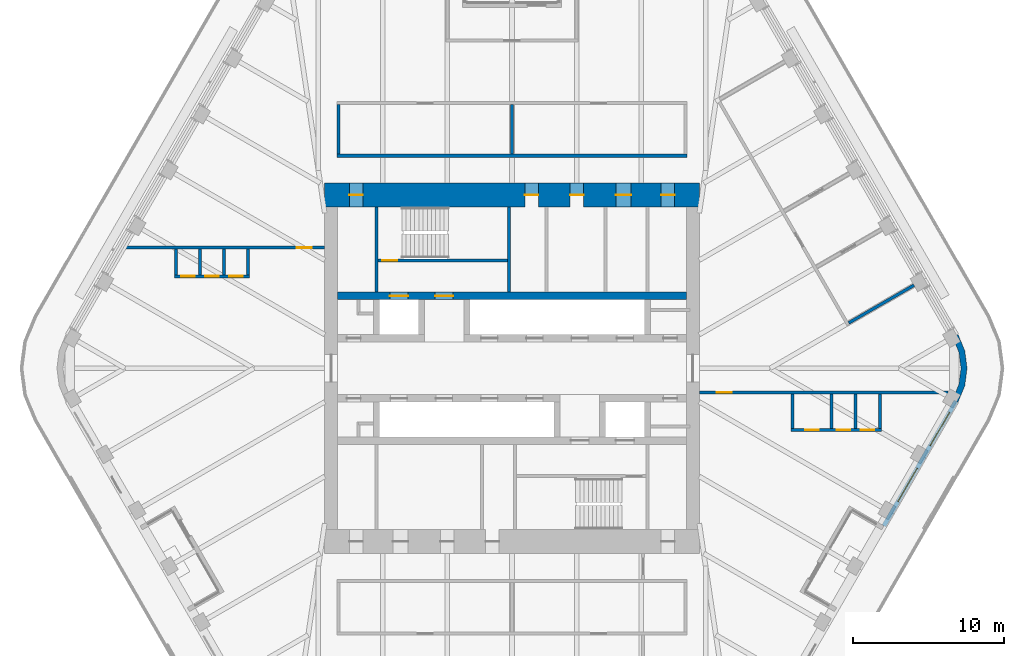
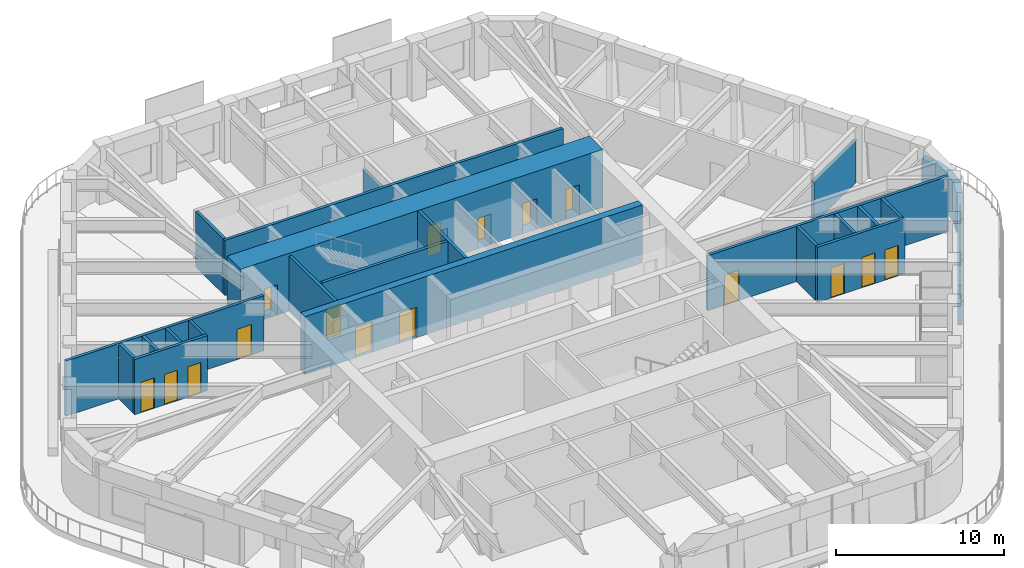
# One storey, part 15 of 19: 23 walls, 16 doors, 2 windows, 18 openings.
"""IFC4 building model written with IfcOpenShell, lengths in metres."""

from ifc_helpers import new_model, si_unit, direction, frame, frame_2d, origin, place, context, subcontext, project, spatial, polyline, rectangle, outline, extrude, material, layer, layer_set, type_object, element, fill, save


model = new_model("IFC4")

# Units and contexts
model_context = context("Model", 3, precision=1e-05, world=origin(), true_north=direction((0.0, 1.0)))
body_context = subcontext(model_context, "Body", "Model", "MODEL_VIEW")
ifc_project = project(units=[si_unit("LENGTHUNIT", "METRE"), si_unit("AREAUNIT", "SQUARE_METRE"), si_unit("VOLUMEUNIT", "CUBIC_METRE"), si_unit("PLANEANGLEUNIT", "RADIAN"), si_unit("MASSUNIT", "GRAM", prefix="KILO")], contexts=[model_context])

# Site, building, storey
site_placement = place(None, origin())
site = spatial("IfcSite", under=ifc_project, at=site_placement, CompositionType="ELEMENT")
building_placement = place(site_placement, origin())
building = spatial("IfcBuilding", under=site, at=building_placement, Name="Tarfa Lantern Tower", CompositionType="ELEMENT")
storey_placement = place(building_placement, frame((0.0, 0.0, 345.10009765625)))
storey = spatial("IfcBuildingStorey", under=building, at=storey_placement, Name="L78", CompositionType="ELEMENT", Elevation=345.10009765625)

# Wall, openings, windows
ifc_material_1 = material(Name="Limestone cladding on blockwork", Category="masonry")
ifc_layer_1 = layer(ifc_material_1, 0.300048828125)
ifc_layer_set_1 = layer_set([ifc_layer_1], Name="EW1 STONE-CLAD WALL 300")
wall_type_1 = type_object("IfcWallType", Name="EW1 STONE-CLAD WALL 300", PredefinedType="SOLIDWALL", material=ifc_layer_set_1)
wall_1_placement = place(storey_placement, frame((24.67724609375, -10.457763671875, 0.0), z_axis=(0.0, 0.0, 1.0), x_axis=(0.499996453679, 0.866027451244, 0.0)))
wall_1 = element("IfcWall", 1, at=wall_1_placement, inside=storey, type_object=wall_type_1, Name="Stone wall SEB", PredefinedType="SOLIDWALL", context=body_context, shape_type="SweptSolid", body=[
    extrude(rectangle(XDim=9.56396484375, YDim=0.300048828125, at=frame_2d((4.781982421875, 0.0))), origin(), (0.0, 0.0, 1.0), 2.89990234375),
])
opening_1_placement = place(wall_1_placement, frame((1.865966796875, 0.0, 0.60009765625)))
opening_1 = element("IfcOpeningElement", 2, at=opening_1_placement, cuts=wall_1, Name="Opening W17", PredefinedType="OPENING", context=body_context, shape_type="SweptSolid", body=[
    extrude(rectangle(XDim=2.550048828125, YDim=2.050048828125, at=frame_2d((1.27490234375, 1.02490234375))), frame((0.0, 0.159912109375, 0.0), z_axis=(0.0, -1.0, 0.0), x_axis=(1.0, 0.0, 0.0)), (0.0, 0.0, 1.0), 0.320068359375),
])
opening_2_placement = place(wall_1_placement, frame((6.14794921875, 0.0, 0.60009765625)))
opening_2 = element("IfcOpeningElement", 3, at=opening_2_placement, cuts=wall_1, Name="Opening W17", PredefinedType="OPENING", context=body_context, shape_type="SweptSolid", body=[
    extrude(rectangle(XDim=2.550048828125, YDim=2.050048828125, at=frame_2d((1.27490234375, 1.02490234375))), frame((0.0, 0.159912109375, 0.0), z_axis=(0.0, -1.0, 0.0), x_axis=(1.0, 0.0, 0.0)), (0.0, 0.0, 1.0), 0.320068359375),
])
ifc_material_2 = material(Name="Aluminium frame, double glazed", Category="aluminium")
window_type = type_object("IfcWindowType", Name="W17 FULL-HEIGHT GLAZING 2550x2050", PartitioningType="SINGLE_PANEL", PredefinedType="WINDOW", material=ifc_material_2)
window_1_placement = place(opening_1_placement, origin())
window_1 = element("IfcWindow", 4, at=window_1_placement, inside=storey, type_object=window_type, Name="Window SEB 1", OverallHeight=2.050048828125, OverallWidth=2.550048828125, PartitioningType="SINGLE_PANEL", PredefinedType="WINDOW", context=body_context, shape_type="SweptSolid", body=[
    extrude(rectangle(XDim=2.550048828125, YDim=2.050048828125, at=frame_2d((1.27490234375, 1.02490234375))), frame((0.0, 0.030029296875, 0.0), z_axis=(0.0, -1.0, 0.0), x_axis=(1.0, 0.0, 0.0)), (0.0, 0.0, 1.0), 0.06005859375),
])
fill(opening_1, window_1)
window_2_placement = place(opening_2_placement, origin())
window_2 = element("IfcWindow", 5, at=window_2_placement, inside=storey, type_object=window_type, Name="Window SEB 2", OverallHeight=2.050048828125, OverallWidth=2.550048828125, PartitioningType="SINGLE_PANEL", PredefinedType="WINDOW", context=body_context, shape_type="SweptSolid", body=[
    extrude(rectangle(XDim=2.550048828125, YDim=2.050048828125, at=frame_2d((1.27490234375, 1.02490234375))), frame((0.0, 0.030029296875, 0.0), z_axis=(0.0, -1.0, 0.0), x_axis=(1.0, 0.0, 0.0)), (0.0, 0.0, 1.0), 0.06005859375),
])
fill(opening_2, window_2)

# Walls
ifc_layer_2 = layer(ifc_material_1, 0.39990234375)
ifc_layer_set_2 = layer_set([ifc_layer_2], Name="EW2 CURVED STONE CORNER 400")
wall_type_2 = type_object("IfcWallType", Name="EW2 CURVED STONE CORNER 400", PredefinedType="SOLIDWALL", material=ifc_layer_set_2)
wall_2_placement = place(storey_placement, origin())
element("IfcWall", 6, at=wall_2_placement, inside=storey, type_object=wall_type_2, Name="Stone corner SE-NE", PredefinedType="SOLIDWALL", context=body_context, shape_type="SweptSolid", body=[
    extrude(outline(polyline([(29.589111328125, -2.25), (30.038818359375, -1.164794921875), (30.192138671875, 0.0), (30.038818359375, 1.164794921875), (29.589111328125, 2.25), (29.24267578125, 2.050048828125), (29.65234375, 1.061279296875), (29.7919921875, 0.0), (29.65234375, -1.061279296875), (29.24267578125, -2.050048828125), (29.589111328125, -2.25)])), origin(), (0.0, 0.0, 1.0), 2.89990234375),
])
ifc_material_3 = material(Name="Concrete blockwork", Category="masonry")
ifc_layer_3 = layer(ifc_material_3, 0.199951171875)
ifc_layer_set_3 = layer_set([ifc_layer_3], Name="IW1 BLOCKWORK PARTITION 200 EI 120")
wall_type_3 = type_object("IfcWallType", Name="IW1 BLOCKWORK PARTITION 200 EI 120", PredefinedType="PARTITIONING", material=ifc_layer_set_3)
wall_3_placement = place(storey_placement, frame((-9.0, 5.050048828125, 0.0), z_axis=(0.0, 0.0, 1.0), x_axis=(0.0, 1.0, 0.0)))
element("IfcWall", 7, at=wall_3_placement, inside=storey, type_object=wall_type_3, Name="Core partition", PredefinedType="PARTITIONING", context=body_context, shape_type="SweptSolid", body=[
    extrude(rectangle(XDim=5.64990234375, YDim=0.199951171875, at=frame_2d((2.824951171875, 0.0))), origin(), (0.0, 0.0, 1.0), 4.0),
])
ifc_material_4 = material(Name="Gypsum board on steel studs", Category="steel")
ifc_layer_4 = layer(ifc_material_4, 0.2099609375)
ifc_layer_set_4 = layer_set([ifc_layer_4], Name="IW2 ACOUSTIC PARTITION 200")
wall_type_4 = type_object("IfcWallType", Name="IW2 ACOUSTIC PARTITION 200", PredefinedType="PARTITIONING", material=ifc_layer_set_4)
wall_4_placement = place(storey_placement, frame((-11.60009765625, 14.10009765625, 0.0), z_axis=(0.0, 0.0, 1.0), x_axis=(1.0, 0.0, 0.0)))
element("IfcWall", 8, at=wall_4_placement, inside=storey, type_object=wall_type_4, Name="Partition", PredefinedType="PARTITIONING", context=body_context, shape_type="SweptSolid", body=[
    extrude(rectangle(XDim=23.2001953125, YDim=0.199951171875, at=frame_2d((11.60009765625, 0.0))), origin(), (0.0, 0.0, 1.0), 4.0),
])
wall_5_placement = place(storey_placement, frame((-11.5, 14.199951171875, 0.0), z_axis=(0.0, 0.0, 1.0), x_axis=(0.0, 1.0, 0.0)))
element("IfcWall", 9, at=wall_5_placement, inside=storey, type_object=wall_type_4, Name="Partition", PredefinedType="PARTITIONING", context=body_context, shape_type="SweptSolid", body=[
    extrude(rectangle(XDim=3.300048828125, YDim=0.199951171875, at=frame_2d((1.64990234375, 0.0))), origin(), (0.0, 0.0, 1.0), 4.0),
])
wall_6_placement = place(storey_placement, frame((0.0, 14.199951171875, 0.0), z_axis=(0.0, 0.0, 1.0), x_axis=(0.0, 1.0, 0.0)))
element("IfcWall", 10, at=wall_6_placement, inside=storey, type_object=wall_type_4, Name="Partition", PredefinedType="PARTITIONING", context=body_context, shape_type="SweptSolid", body=[
    extrude(rectangle(XDim=3.300048828125, YDim=0.199951171875, at=frame_2d((1.64990234375, 0.0))), origin(), (0.0, 0.0, 1.0), 2.99169921875),
])
wall_7_placement = place(storey_placement, frame((22.338623046875, 3.00830078125, 0.0), z_axis=(0.0, 0.0, 1.0), x_axis=(0.866022959057, 0.500004234368, 0.0)))
element("IfcWall", 11, at=wall_7_placement, inside=storey, type_object=wall_type_4, Name="Partition", PredefinedType="PARTITIONING", context=body_context, shape_type="SweptSolid", body=[
    extrude(rectangle(XDim=5.0, YDim=0.199951171875, at=frame_2d((2.5, 0.0))), origin(), (0.0, 0.0, 1.0), 3.08154296875),
])

# Wall, opening, door
wall_8_placement = place(storey_placement, frame((12.425048828125, -1.60009765625, 0.0), z_axis=(0.0, 0.0, 1.0), x_axis=(1.0, 0.0, 0.0)))
wall_8 = element("IfcWall", 12, at=wall_8_placement, inside=storey, type_object=wall_type_4, Name="Partition", PredefinedType="PARTITIONING", context=body_context, shape_type="SweptSolid", body=[
    extrude(rectangle(XDim=16.500244140625, YDim=0.199951171875, at=frame_2d((8.25, 0.0))), origin(), (0.0, 0.0, 1.0), 4.0),
])
opening_3_placement = place(wall_8_placement, frame((1.150146484375, 0.0, 0.0)))
opening_3 = element("IfcOpeningElement", 13, at=opening_3_placement, cuts=wall_8, Name="Opening D35", PredefinedType="OPENING", context=body_context, shape_type="SweptSolid", body=[
    extrude(rectangle(XDim=1.0, YDim=2.199951171875, at=frame_2d((0.5, 1.10009765625))), frame((0.0, 0.10986328125, 0.0), z_axis=(0.0, -1.0, 0.0), x_axis=(1.0, 0.0, 0.0)), (0.0, 0.0, 1.0), 0.219970703125),
])
ifc_material_5 = material(Name="Timber door", Category="wood")
door_type_1 = type_object("IfcDoorType", Name="DR1 ROOM DOOR 1000x2200", OperationType="SINGLE_SWING_LEFT", PredefinedType="DOOR", material=ifc_material_5)
door_1_placement = place(opening_3_placement, frame((1.0, 0.0, 0.0), z_axis=(0.0, 0.0, 1.0), x_axis=(-1.0, 0.0, 0.0)))
door_1 = element("IfcDoor", 14, at=door_1_placement, inside=storey, type_object=door_type_1, Name="Zone door", OperationType="SINGLE_SWING_LEFT", OverallHeight=2.199951171875, OverallWidth=1.0, PredefinedType="DOOR", context=body_context, shape_type="SweptSolid", body=[
    extrude(rectangle(XDim=1.0, YDim=2.199951171875, at=frame_2d((0.5, 1.10009765625))), frame((0.0, 0.02490234375, 0.0), z_axis=(0.0, -1.0, 0.0), x_axis=(1.0, 0.0, 0.0)), (0.0, 0.0, 1.0), 0.050048828125),
])
fill(opening_3, door_1)

wall_9_placement = place(storey_placement, frame((-12.425048828125, 8.0, 0.0), z_axis=(0.0, 0.0, 1.0), x_axis=(-1.0, 0.0, 0.0)))
wall_9 = element("IfcWall", 15, at=wall_9_placement, inside=storey, type_object=wall_type_4, Name="Partition", PredefinedType="PARTITIONING", context=body_context, shape_type="SweptSolid", body=[
    extrude(rectangle(XDim=13.59033203125, YDim=0.199951171875, at=frame_2d((6.795166015625, 0.0))), origin(), (0.0, 0.0, 1.0), 4.0),
])
opening_4_placement = place(wall_9_placement, frame((0.859130859375, 0.0, 0.0)))
opening_4 = element("IfcOpeningElement", 16, at=opening_4_placement, cuts=wall_9, Name="Opening D37", PredefinedType="OPENING", context=body_context, shape_type="SweptSolid", body=[
    extrude(rectangle(XDim=1.0, YDim=2.199951171875, at=frame_2d((0.5, 1.10009765625))), frame((0.0, 0.10986328125, 0.0), z_axis=(0.0, -1.0, 0.0), x_axis=(1.0, 0.0, 0.0)), (0.0, 0.0, 1.0), 0.219970703125),
])
door_2_placement = place(opening_4_placement, frame((1.0, 0.0, 0.0), z_axis=(0.0, 0.0, 1.0), x_axis=(-1.0, 0.0, 0.0)))
door_2 = element("IfcDoor", 17, at=door_2_placement, inside=storey, type_object=door_type_1, Name="Zone door", OperationType="SINGLE_SWING_LEFT", OverallHeight=2.199951171875, OverallWidth=1.0, PredefinedType="DOOR", context=body_context, shape_type="SweptSolid", body=[
    extrude(rectangle(XDim=1.0, YDim=2.199951171875, at=frame_2d((0.5, 1.10009765625))), frame((0.0, 0.02490234375, 0.0), z_axis=(0.0, -1.0, 0.0), x_axis=(1.0, 0.0, 0.0)), (0.0, 0.0, 1.0), 0.050048828125),
])
fill(opening_4, door_2)

# Wall, openings, doors
wall_10_placement = place(storey_placement, frame((18.500244140625, -4.10009765625, 0.0), z_axis=(0.0, 0.0, 1.0), x_axis=(1.0, 0.0, 0.0)))
wall_10 = element("IfcWall", 18, at=wall_10_placement, inside=storey, type_object=wall_type_4, Name="Partition", PredefinedType="PARTITIONING", context=body_context, shape_type="SweptSolid", body=[
    extrude(rectangle(XDim=6.0, YDim=0.199951171875, at=frame_2d((3.0, 0.0))), origin(), (0.0, 0.0, 1.0), 4.0),
])
opening_5_placement = place(wall_10_placement, frame((0.949951171875, 0.0, 0.0)))
opening_5 = element("IfcOpeningElement", 19, at=opening_5_placement, cuts=wall_10, Name="Opening D29", PredefinedType="OPENING", context=body_context, shape_type="SweptSolid", body=[
    extrude(rectangle(XDim=0.89990234375, YDim=2.199951171875, at=frame_2d((0.449951171875, 1.10009765625))), frame((0.0, 0.10986328125, 0.0), z_axis=(0.0, -1.0, 0.0), x_axis=(1.0, 0.0, 0.0)), (0.0, 0.0, 1.0), 0.219970703125),
])
opening_6_placement = place(wall_10_placement, frame((3.050048828125, 0.0, 0.0)))
opening_6 = element("IfcOpeningElement", 20, at=opening_6_placement, cuts=wall_10, Name="Opening D30", PredefinedType="OPENING", context=body_context, shape_type="SweptSolid", body=[
    extrude(rectangle(XDim=0.89990234375, YDim=2.199951171875, at=frame_2d((0.449951171875, 1.10009765625))), frame((0.0, 0.10986328125, 0.0), z_axis=(0.0, -1.0, 0.0), x_axis=(1.0, 0.0, 0.0)), (0.0, 0.0, 1.0), 0.219970703125),
])
opening_7_placement = place(wall_10_placement, frame((4.64990234375, 0.0, 0.0)))
opening_7 = element("IfcOpeningElement", 21, at=opening_7_placement, cuts=wall_10, Name="Opening D31", PredefinedType="OPENING", context=body_context, shape_type="SweptSolid", body=[
    extrude(rectangle(XDim=0.89990234375, YDim=2.199951171875, at=frame_2d((0.449951171875, 1.10009765625))), frame((0.0, 0.10986328125, 0.0), z_axis=(0.0, -1.0, 0.0), x_axis=(1.0, 0.0, 0.0)), (0.0, 0.0, 1.0), 0.219970703125),
])
door_type_2 = type_object("IfcDoorType", Name="DR3 ROOM DOOR 900x2200", OperationType="SINGLE_SWING_LEFT", PredefinedType="DOOR", material=ifc_material_5)
door_3_placement = place(opening_5_placement, origin())
door_3 = element("IfcDoor", 22, at=door_3_placement, inside=storey, type_object=door_type_2, Name="Print and copy room door", OperationType="SINGLE_SWING_RIGHT", OverallHeight=2.199951171875, OverallWidth=0.89990234375, PredefinedType="DOOR", context=body_context, shape_type="SweptSolid", body=[
    extrude(rectangle(XDim=0.89990234375, YDim=2.199951171875, at=frame_2d((0.449951171875, 1.10009765625))), frame((0.0, 0.02490234375, 0.0), z_axis=(0.0, -1.0, 0.0), x_axis=(1.0, 0.0, 0.0)), (0.0, 0.0, 1.0), 0.050048828125),
])
fill(opening_5, door_3)
door_4_placement = place(opening_6_placement, origin())
door_4 = element("IfcDoor", 23, at=door_4_placement, inside=storey, type_object=door_type_2, Name="Phone booth door", OperationType="SINGLE_SWING_LEFT", OverallHeight=2.199951171875, OverallWidth=0.89990234375, PredefinedType="DOOR", context=body_context, shape_type="SweptSolid", body=[
    extrude(rectangle(XDim=0.89990234375, YDim=2.199951171875, at=frame_2d((0.449951171875, 1.10009765625))), frame((0.0, 0.02490234375, 0.0), z_axis=(0.0, -1.0, 0.0), x_axis=(1.0, 0.0, 0.0)), (0.0, 0.0, 1.0), 0.050048828125),
])
fill(opening_6, door_4)
door_5_placement = place(opening_7_placement, origin())
door_5 = element("IfcDoor", 24, at=door_5_placement, inside=storey, type_object=door_type_2, Name="Phone booth door", OperationType="SINGLE_SWING_LEFT", OverallHeight=2.199951171875, OverallWidth=0.89990234375, PredefinedType="DOOR", context=body_context, shape_type="SweptSolid", body=[
    extrude(rectangle(XDim=0.89990234375, YDim=2.199951171875, at=frame_2d((0.449951171875, 1.10009765625))), frame((0.0, 0.02490234375, 0.0), z_axis=(0.0, -1.0, 0.0), x_axis=(1.0, 0.0, 0.0)), (0.0, 0.0, 1.0), 0.050048828125),
])
fill(opening_7, door_5)

# Walls
for number, where, z_axis, x_axis, name in (
    (25, (18.60009765625, -1.699951171875, 0.0), (0.0, 0.0, 1.0), (0.0, -1.0, 0.0), "Partition"),
    (26, (21.2001953125, -1.699951171875, 0.0), (0.0, 0.0, 1.0), (0.0, -1.0, 0.0), "Partition"),
    (27, (22.800048828125, -1.699951171875, 0.0), (0.0, 0.0, 1.0), (0.0, -1.0, 0.0), "Partition"),
    (28, (24.400146484375, -1.699951171875, 0.0), (0.0, 0.0, 1.0), (0.0, -1.0, 0.0), "Partition"),
):
    element("IfcWall", number, at=place(storey_placement, frame(where, z_axis=z_axis, x_axis=x_axis)), inside=storey, type_object=wall_type_4, Name=name, PredefinedType="PARTITIONING", context=body_context, shape_type="SweptSolid", body=[
        extrude(rectangle(XDim=2.300048828125, YDim=0.199951171875, at=frame_2d((1.14990234375, 0.0))), origin(), (0.0, 0.0, 1.0), 4.0),
    ])

# Wall, openings, doors
wall_11_placement = place(storey_placement, frame((-17.399658203125, 6.10009765625, 0.0), z_axis=(0.0, 0.0, 1.0), x_axis=(-1.0, 0.0, 0.0)))
wall_11 = element("IfcWall", 29, at=wall_11_placement, inside=storey, type_object=wall_type_4, Name="Partition", PredefinedType="PARTITIONING", context=body_context, shape_type="SweptSolid", body=[
    extrude(rectangle(XDim=5.0, YDim=0.199951171875, at=frame_2d((2.5, 0.0))), origin(), (0.0, 0.0, 1.0), 4.0),
])
opening_8_placement = place(wall_11_placement, frame((0.449951171875, 0.0, 0.0)))
opening_8 = element("IfcOpeningElement", 30, at=opening_8_placement, cuts=wall_11, Name="Opening D32", PredefinedType="OPENING", context=body_context, shape_type="SweptSolid", body=[
    extrude(rectangle(XDim=0.89990234375, YDim=2.199951171875, at=frame_2d((0.449951171875, 1.10009765625))), frame((0.0, 0.10986328125, 0.0), z_axis=(0.0, -1.0, 0.0), x_axis=(1.0, 0.0, 0.0)), (0.0, 0.0, 1.0), 0.219970703125),
])
opening_9_placement = place(wall_11_placement, frame((2.050048828125, 0.0, 0.0)))
opening_9 = element("IfcOpeningElement", 31, at=opening_9_placement, cuts=wall_11, Name="Opening D33", PredefinedType="OPENING", context=body_context, shape_type="SweptSolid", body=[
    extrude(rectangle(XDim=0.89990234375, YDim=2.199951171875, at=frame_2d((0.449951171875, 1.10009765625))), frame((0.0, 0.10986328125, 0.0), z_axis=(0.0, -1.0, 0.0), x_axis=(1.0, 0.0, 0.0)), (0.0, 0.0, 1.0), 0.219970703125),
])
opening_10_placement = place(wall_11_placement, frame((3.64990234375, 0.0, 0.0)))
opening_10 = element("IfcOpeningElement", 32, at=opening_10_placement, cuts=wall_11, Name="Opening D34", PredefinedType="OPENING", context=body_context, shape_type="SweptSolid", body=[
    extrude(rectangle(XDim=0.89990234375, YDim=2.199951171875, at=frame_2d((0.449951171875, 1.10009765625))), frame((0.0, 0.10986328125, 0.0), z_axis=(0.0, -1.0, 0.0), x_axis=(1.0, 0.0, 0.0)), (0.0, 0.0, 1.0), 0.219970703125),
])
door_6_placement = place(opening_8_placement, frame((0.89990234375, 0.0, 0.0), z_axis=(0.0, 0.0, 1.0), x_axis=(-1.0, 0.0, 0.0)))
door_6 = element("IfcDoor", 33, at=door_6_placement, inside=storey, type_object=door_type_2, Name="Phone booth door", OperationType="SINGLE_SWING_LEFT", OverallHeight=2.199951171875, OverallWidth=0.89990234375, PredefinedType="DOOR", context=body_context, shape_type="SweptSolid", body=[
    extrude(rectangle(XDim=0.89990234375, YDim=2.199951171875, at=frame_2d((0.449951171875, 1.10009765625))), frame((0.0, 0.02490234375, 0.0), z_axis=(0.0, -1.0, 0.0), x_axis=(1.0, 0.0, 0.0)), (0.0, 0.0, 1.0), 0.050048828125),
])
fill(opening_8, door_6)
door_7_placement = place(opening_9_placement, frame((0.89990234375, 0.0, 0.0), z_axis=(0.0, 0.0, 1.0), x_axis=(-1.0, 0.0, 0.0)))
door_7 = element("IfcDoor", 34, at=door_7_placement, inside=storey, type_object=door_type_2, Name="Phone booth door", OperationType="SINGLE_SWING_LEFT", OverallHeight=2.199951171875, OverallWidth=0.89990234375, PredefinedType="DOOR", context=body_context, shape_type="SweptSolid", body=[
    extrude(rectangle(XDim=0.89990234375, YDim=2.199951171875, at=frame_2d((0.449951171875, 1.10009765625))), frame((0.0, 0.02490234375, 0.0), z_axis=(0.0, -1.0, 0.0), x_axis=(1.0, 0.0, 0.0)), (0.0, 0.0, 1.0), 0.050048828125),
])
fill(opening_9, door_7)
door_8_placement = place(opening_10_placement, frame((0.89990234375, 0.0, 0.0), z_axis=(0.0, 0.0, 1.0), x_axis=(-1.0, 0.0, 0.0)))
door_8 = element("IfcDoor", 35, at=door_8_placement, inside=storey, type_object=door_type_2, Name="Phone booth door", OperationType="SINGLE_SWING_RIGHT", OverallHeight=2.199951171875, OverallWidth=0.89990234375, PredefinedType="DOOR", context=body_context, shape_type="SweptSolid", body=[
    extrude(rectangle(XDim=0.89990234375, YDim=2.199951171875, at=frame_2d((0.449951171875, 1.10009765625))), frame((0.0, 0.02490234375, 0.0), z_axis=(0.0, -1.0, 0.0), x_axis=(1.0, 0.0, 0.0)), (0.0, 0.0, 1.0), 0.050048828125),
])
fill(opening_10, door_8)

# Walls
for number, where, z_axis, x_axis, name in (
    (36, (-17.499755859375, 7.89990234375, 0.0), (0.0, 0.0, 1.0), (0.0, -1.0, 0.0), "Partition"),
    (37, (-19.099609375, 7.89990234375, 0.0), (0.0, 0.0, 1.0), (0.0, -1.0, 0.0), "Partition"),
    (38, (-20.69970703125, 7.89990234375, 0.0), (0.0, 0.0, 1.0), (0.0, -1.0, 0.0), "Partition"),
    (39, (-22.299560546875, 7.89990234375, 0.0), (0.0, 0.0, 1.0), (0.0, -1.0, 0.0), "Partition"),
):
    element("IfcWall", number, at=place(storey_placement, frame(where, z_axis=z_axis, x_axis=x_axis)), inside=storey, type_object=wall_type_4, Name=name, PredefinedType="PARTITIONING", context=body_context, shape_type="SweptSolid", body=[
        extrude(rectangle(XDim=1.699951171875, YDim=0.199951171875, at=frame_2d((0.85009765625, 0.0))), origin(), (0.0, 0.0, 1.0), 4.0),
    ])
ifc_material_6 = material(Name="Concrete C80/95", Category="concrete")
ifc_layer_5 = layer(ifc_material_6, 0.199951171875)
ifc_layer_set_5 = layer_set([ifc_layer_5], Name="SW12 CORE WALL 200")
wall_type_5 = type_object("IfcWallType", Name="SW12 CORE WALL 200", PredefinedType="SHEAR", material=ifc_layer_set_5)
wall_12_placement = place(storey_placement, frame((-0.199951171875, 5.050048828125, 0.0), z_axis=(0.0, 0.0, 1.0), x_axis=(0.0, 1.0, 0.0)))
element("IfcWall", 40, at=wall_12_placement, inside=storey, type_object=wall_type_5, Name="Core wall stair shaft N", PredefinedType="SHEAR", context=body_context, shape_type="SweptSolid", body=[
    extrude(rectangle(XDim=5.64990234375, YDim=0.199951171875, at=frame_2d((2.824951171875, 0.0))), origin(), (0.0, 0.0, 1.0), 4.199951171875),
])

# Wall, opening, door
wall_13_placement = place(storey_placement, frame((-8.89990234375, 7.14990234375, 0.0), z_axis=(0.0, 0.0, 1.0), x_axis=(1.0, 0.0, 0.0)))
wall_13 = element("IfcWall", 41, at=wall_13_placement, inside=storey, type_object=wall_type_5, Name="Core wall stair partition N", PredefinedType="SHEAR", context=body_context, shape_type="SweptSolid", body=[
    extrude(rectangle(XDim=8.599853515625, YDim=0.199951171875, at=frame_2d((4.2998046875, 0.0))), origin(), (0.0, 0.0, 1.0), 4.199951171875),
])
opening_11_placement = place(wall_13_placement, frame((0.300048828125, 0.0, 0.0)))
opening_11 = element("IfcOpeningElement", 42, at=opening_11_placement, cuts=wall_13, Name="Opening D19", PredefinedType="OPENING", context=body_context, shape_type="SweptSolid", body=[
    extrude(rectangle(XDim=1.0, YDim=2.199951171875, at=frame_2d((0.5, 1.10009765625))), frame((0.0, 0.10986328125, 0.0), z_axis=(0.0, -1.0, 0.0), x_axis=(1.0, 0.0, 0.0)), (0.0, 0.0, 1.0), 0.219970703125),
])
ifc_material_7 = material(Name="Steel fire door", Category="steel")
door_type_3 = type_object("IfcDoorType", Name="DF2 STAIR DOOR 1000x2200", OperationType="SINGLE_SWING_LEFT", PredefinedType="DOOR", material=ifc_material_7)
door_9_placement = place(opening_11_placement, origin())
door_9 = element("IfcDoor", 43, at=door_9_placement, inside=storey, type_object=door_type_3, Name="Stair door", OperationType="SINGLE_SWING_RIGHT", OverallHeight=2.199951171875, OverallWidth=1.0, PredefinedType="DOOR", context=body_context, shape_type="SweptSolid", body=[
    extrude(rectangle(XDim=1.0, YDim=2.199951171875, at=frame_2d((0.5, 1.10009765625))), frame((0.0, 0.02490234375, 0.0), z_axis=(0.0, -1.0, 0.0), x_axis=(1.0, 0.0, 0.0)), (0.0, 0.0, 1.0), 0.050048828125),
])
fill(opening_11, door_9)

# Wall, openings, doors
ifc_layer_6 = layer(ifc_material_6, 0.5)
ifc_layer_set_6 = layer_set([ifc_layer_6], Name="SW5 CORE WALL 500")
wall_type_6 = type_object("IfcWallType", Name="SW5 CORE WALL 500", PredefinedType="SHEAR", material=ifc_layer_set_6)
wall_14_placement = place(storey_placement, frame((-11.574951171875, 4.800048828125, 0.0), z_axis=(0.0, 0.0, 1.0), x_axis=(1.0, 0.0, 0.0)))
wall_14 = element("IfcWall", 44, at=wall_14_placement, inside=storey, type_object=wall_type_6, Name="Core wall rear N", PredefinedType="SHEAR", context=body_context, shape_type="SweptSolid", body=[
    extrude(rectangle(XDim=23.14990234375, YDim=0.5, at=frame_2d((11.574951171875, 0.0))), origin(), (0.0, 0.0, 1.0), 4.199951171875),
])
opening_12_placement = place(wall_14_placement, frame((6.47509765625, 0.0, 0.0)))
opening_12 = element("IfcOpeningElement", 45, at=opening_12_placement, cuts=wall_14, Name="Opening D05", PredefinedType="OPENING", context=body_context, shape_type="SweptSolid", body=[
    extrude(rectangle(XDim=1.199951171875, YDim=2.199951171875, at=frame_2d((0.60009765625, 1.10009765625))), frame((0.0, 0.260009765625, 0.0), z_axis=(0.0, -1.0, 0.0), x_axis=(1.0, 0.0, 0.0)), (0.0, 0.0, 1.0), 0.52001953125),
])
opening_13_placement = place(wall_14_placement, frame((3.47509765625, 0.0, 0.0)))
opening_13 = element("IfcOpeningElement", 46, at=opening_13_placement, cuts=wall_14, Name="Opening LD01", PredefinedType="OPENING", context=body_context, shape_type="SweptSolid", body=[
    extrude(rectangle(XDim=1.199951171875, YDim=2.199951171875, at=frame_2d((0.60009765625, 1.10009765625))), frame((0.0, 0.260009765625, 0.0), z_axis=(0.0, -1.0, 0.0), x_axis=(1.0, 0.0, 0.0)), (0.0, 0.0, 1.0), 0.52001953125),
])
door_type_4 = type_object("IfcDoorType", Name="DF1 FIREFIGHTING LOBBY DOOR 1200x2200", OperationType="SINGLE_SWING_LEFT", PredefinedType="DOOR", material=ifc_material_7)
door_10_placement = place(opening_12_placement, origin())
door_10 = element("IfcDoor", 47, at=door_10_placement, inside=storey, type_object=door_type_4, Name="Firefighting lobby door", OperationType="SINGLE_SWING_LEFT", OverallHeight=2.199951171875, OverallWidth=1.199951171875, PredefinedType="DOOR", context=body_context, shape_type="SweptSolid", body=[
    extrude(rectangle(XDim=1.199951171875, YDim=2.199951171875, at=frame_2d((0.60009765625, 1.10009765625))), frame((0.0, 0.02490234375, 0.0), z_axis=(0.0, -1.0, 0.0), x_axis=(1.0, 0.0, 0.0)), (0.0, 0.0, 1.0), 0.050048828125),
])
fill(opening_12, door_10)
ifc_material_8 = material(Name="Stainless steel lift door", Category="steel")
door_type_5 = type_object("IfcDoorType", Name="LD1 LIFT LANDING DOOR 1200x2200", OperationType="SLIDING_TO_LEFT", PredefinedType="DOOR", material=ifc_material_8)
door_11_placement = place(opening_13_placement, origin())
door_11 = element("IfcDoor", 48, at=door_11_placement, inside=storey, type_object=door_type_5, Name="Landing door FL1", OperationType="SLIDING_TO_LEFT", OverallHeight=2.199951171875, OverallWidth=1.199951171875, PredefinedType="DOOR", context=body_context, shape_type="SweptSolid", body=[
    extrude(rectangle(XDim=1.199951171875, YDim=2.199951171875, at=frame_2d((0.60009765625, 1.10009765625))), frame((0.0, 0.02490234375, 0.0), z_axis=(0.0, -1.0, 0.0), x_axis=(1.0, 0.0, 0.0)), (0.0, 0.0, 1.0), 0.050048828125),
])
fill(opening_13, door_11)

ifc_layer_7 = layer(ifc_material_6, 1.60009765625)
ifc_layer_set_7 = layer_set([ifc_layer_7], Name="SW7 CORE WALL 1600")
wall_type_7 = type_object("IfcWallType", Name="SW7 CORE WALL 1600", PredefinedType="SHEAR", material=ifc_layer_set_7)
wall_15_placement = place(storey_placement, frame((-12.425048828125, 11.5, 0.0), z_axis=(0.0, 0.0, 1.0), x_axis=(1.0, 0.0, 0.0)))
wall_15 = element("IfcWall", 49, at=wall_15_placement, inside=storey, type_object=wall_type_7, Name="Core wall N", PredefinedType="SHEAR", context=body_context, shape_type="SweptSolid", body=[
    extrude(rectangle(XDim=24.85009765625, YDim=1.60009765625, at=frame_2d((12.425048828125, 0.0))), origin(), (0.0, 0.0, 1.0), 4.199951171875),
])
opening_14_placement = place(wall_15_placement, frame((13.27490234375, 0.0, 0.0)))
opening_14 = element("IfcOpeningElement", 50, at=opening_14_placement, cuts=wall_15, Name="Opening D13", PredefinedType="OPENING", context=body_context, shape_type="SweptSolid", body=[
    extrude(rectangle(XDim=0.89990234375, YDim=2.199951171875, at=frame_2d((0.449951171875, 1.10009765625))), frame((0.0, 0.81005859375, 0.0), z_axis=(0.0, -1.0, 0.0), x_axis=(1.0, 0.0, 0.0)), (0.0, 0.0, 1.0), 1.6201171875),
])
opening_15_placement = place(wall_15_placement, frame((16.27490234375, 0.0, 0.0)))
opening_15 = element("IfcOpeningElement", 51, at=opening_15_placement, cuts=wall_15, Name="Opening D15", PredefinedType="OPENING", context=body_context, shape_type="SweptSolid", body=[
    extrude(rectangle(XDim=0.89990234375, YDim=2.199951171875, at=frame_2d((0.449951171875, 1.10009765625))), frame((0.0, 0.81005859375, 0.0), z_axis=(0.0, -1.0, 0.0), x_axis=(1.0, 0.0, 0.0)), (0.0, 0.0, 1.0), 1.6201171875),
])
opening_16_placement = place(wall_15_placement, frame((19.324951171875, 0.0, 0.0)))
opening_16 = element("IfcOpeningElement", 52, at=opening_16_placement, cuts=wall_15, Name="Opening D17", PredefinedType="OPENING", context=body_context, shape_type="SweptSolid", body=[
    extrude(rectangle(XDim=1.0, YDim=2.199951171875, at=frame_2d((0.5, 1.10009765625))), frame((0.0, 0.81005859375, 0.0), z_axis=(0.0, -1.0, 0.0), x_axis=(1.0, 0.0, 0.0)), (0.0, 0.0, 1.0), 1.6201171875),
])
opening_17_placement = place(wall_15_placement, frame((1.637451171875, 0.0, 0.0)))
opening_17 = element("IfcOpeningElement", 53, at=opening_17_placement, cuts=wall_15, Name="Opening D03", PredefinedType="OPENING", context=body_context, shape_type="SweptSolid", body=[
    extrude(rectangle(XDim=0.89990234375, YDim=2.199951171875, at=frame_2d((0.449951171875, 1.10009765625))), frame((0.0, 0.81005859375, 0.0), z_axis=(0.0, -1.0, 0.0), x_axis=(1.0, 0.0, 0.0)), (0.0, 0.0, 1.0), 1.6201171875),
])
opening_18_placement = place(wall_15_placement, frame((22.3125, 0.0, 0.0)))
opening_18 = element("IfcOpeningElement", 54, at=opening_18_placement, cuts=wall_15, Name="Opening D01", PredefinedType="OPENING", context=body_context, shape_type="SweptSolid", body=[
    extrude(rectangle(XDim=0.89990234375, YDim=2.199951171875, at=frame_2d((0.449951171875, 1.10009765625))), frame((0.0, 0.81005859375, 0.0), z_axis=(0.0, -1.0, 0.0), x_axis=(1.0, 0.0, 0.0)), (0.0, 0.0, 1.0), 1.6201171875),
])
door_type_6 = type_object("IfcDoorType", Name="DF3 CORE ROOM DOOR 900x2200", OperationType="SINGLE_SWING_LEFT", PredefinedType="DOOR", material=ifc_material_7)
door_12_placement = place(opening_14_placement, frame((0.89990234375, 0.0, 0.0), z_axis=(0.0, 0.0, 1.0), x_axis=(-1.0, 0.0, 0.0)))
door_12 = element("IfcDoor", 55, at=door_12_placement, inside=storey, type_object=door_type_6, Name="Core door", OperationType="SINGLE_SWING_RIGHT", OverallHeight=2.199951171875, OverallWidth=0.89990234375, PredefinedType="DOOR", context=body_context, shape_type="SweptSolid", body=[
    extrude(rectangle(XDim=0.89990234375, YDim=2.199951171875, at=frame_2d((0.449951171875, 1.10009765625))), frame((0.0, 0.02490234375, 0.0), z_axis=(0.0, -1.0, 0.0), x_axis=(1.0, 0.0, 0.0)), (0.0, 0.0, 1.0), 0.050048828125),
])
fill(opening_14, door_12)
door_13_placement = place(opening_15_placement, frame((0.89990234375, 0.0, 0.0), z_axis=(0.0, 0.0, 1.0), x_axis=(-1.0, 0.0, 0.0)))
door_13 = element("IfcDoor", 56, at=door_13_placement, inside=storey, type_object=door_type_6, Name="Core door", OperationType="SINGLE_SWING_RIGHT", OverallHeight=2.199951171875, OverallWidth=0.89990234375, PredefinedType="DOOR", context=body_context, shape_type="SweptSolid", body=[
    extrude(rectangle(XDim=0.89990234375, YDim=2.199951171875, at=frame_2d((0.449951171875, 1.10009765625))), frame((0.0, 0.02490234375, 0.0), z_axis=(0.0, -1.0, 0.0), x_axis=(1.0, 0.0, 0.0)), (0.0, 0.0, 1.0), 0.050048828125),
])
fill(opening_15, door_13)
door_type_7 = type_object("IfcDoorType", Name="DF4 CORE ROOM DOOR 1000x2200", OperationType="SINGLE_SWING_LEFT", PredefinedType="DOOR", material=ifc_material_7)
door_14_placement = place(opening_16_placement, frame((1.0, 0.0, 0.0), z_axis=(0.0, 0.0, 1.0), x_axis=(-1.0, 0.0, 0.0)))
door_14 = element("IfcDoor", 57, at=door_14_placement, inside=storey, type_object=door_type_7, Name="Core door", OperationType="SINGLE_SWING_LEFT", OverallHeight=2.199951171875, OverallWidth=1.0, PredefinedType="DOOR", context=body_context, shape_type="SweptSolid", body=[
    extrude(rectangle(XDim=1.0, YDim=2.199951171875, at=frame_2d((0.5, 1.10009765625))), frame((0.0, 0.02490234375, 0.0), z_axis=(0.0, -1.0, 0.0), x_axis=(1.0, 0.0, 0.0)), (0.0, 0.0, 1.0), 0.050048828125),
])
fill(opening_16, door_14)
door_type_8 = type_object("IfcDoorType", Name="DF5 RISER DOOR 900x2200", OperationType="SINGLE_SWING_LEFT", PredefinedType="DOOR", material=ifc_material_7)
door_15_placement = place(opening_17_placement, frame((0.89990234375, 0.0, 0.0), z_axis=(0.0, 0.0, 1.0), x_axis=(-1.0, 0.0, 0.0)))
door_15 = element("IfcDoor", 58, at=door_15_placement, inside=storey, type_object=door_type_8, Name="Riser door", OperationType="SINGLE_SWING_LEFT", OverallHeight=2.199951171875, OverallWidth=0.89990234375, PredefinedType="DOOR", context=body_context, shape_type="SweptSolid", body=[
    extrude(rectangle(XDim=0.89990234375, YDim=2.199951171875, at=frame_2d((0.449951171875, 1.10009765625))), frame((0.0, 0.02490234375, 0.0), z_axis=(0.0, -1.0, 0.0), x_axis=(1.0, 0.0, 0.0)), (0.0, 0.0, 1.0), 0.050048828125),
])
fill(opening_17, door_15)
door_16_placement = place(opening_18_placement, frame((0.89990234375, 0.0, 0.0), z_axis=(0.0, 0.0, 1.0), x_axis=(-1.0, 0.0, 0.0)))
door_16 = element("IfcDoor", 59, at=door_16_placement, inside=storey, type_object=door_type_8, Name="Riser door", OperationType="SINGLE_SWING_RIGHT", OverallHeight=2.199951171875, OverallWidth=0.89990234375, PredefinedType="DOOR", context=body_context, shape_type="SweptSolid", body=[
    extrude(rectangle(XDim=0.89990234375, YDim=2.199951171875, at=frame_2d((0.449951171875, 1.10009765625))), frame((0.0, 0.02490234375, 0.0), z_axis=(0.0, -1.0, 0.0), x_axis=(1.0, 0.0, 0.0)), (0.0, 0.0, 1.0), 0.050048828125),
])
fill(opening_18, door_16)

save(model, "model.ifc")
